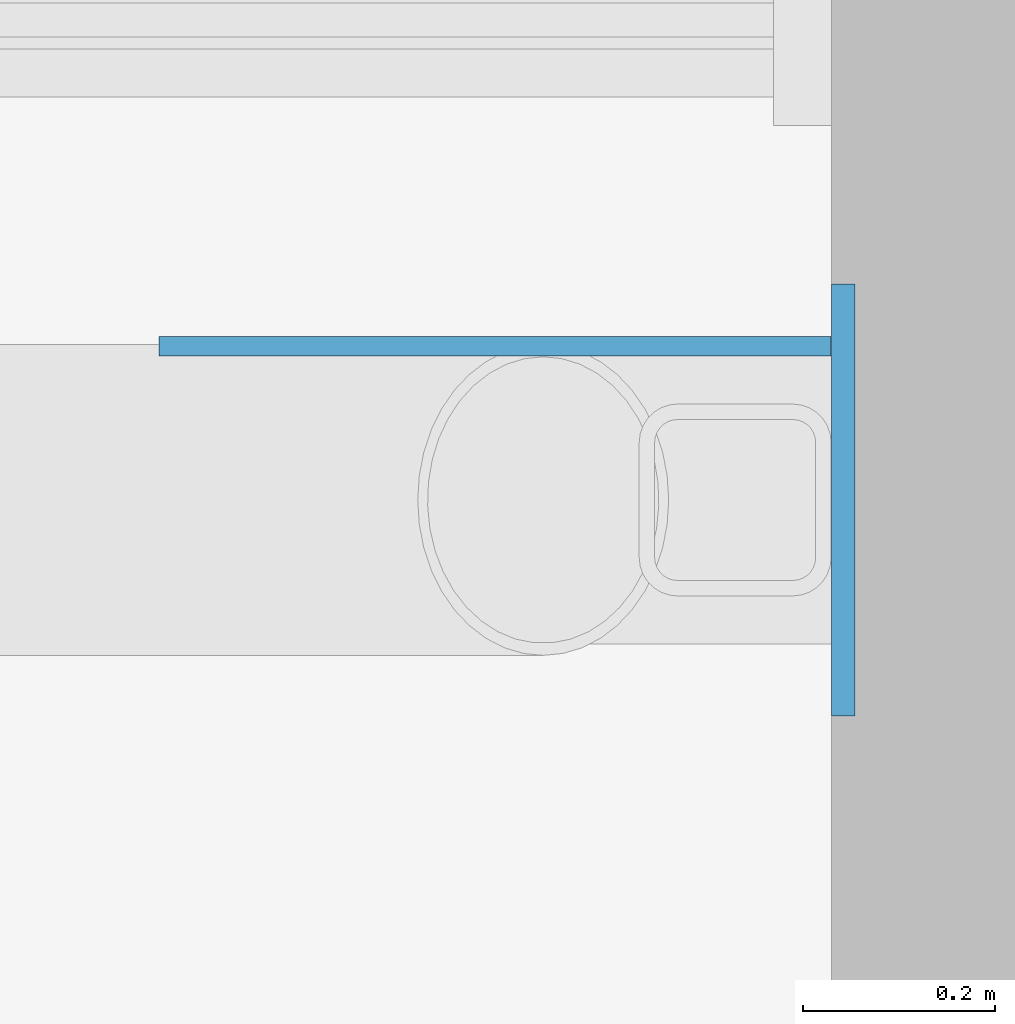
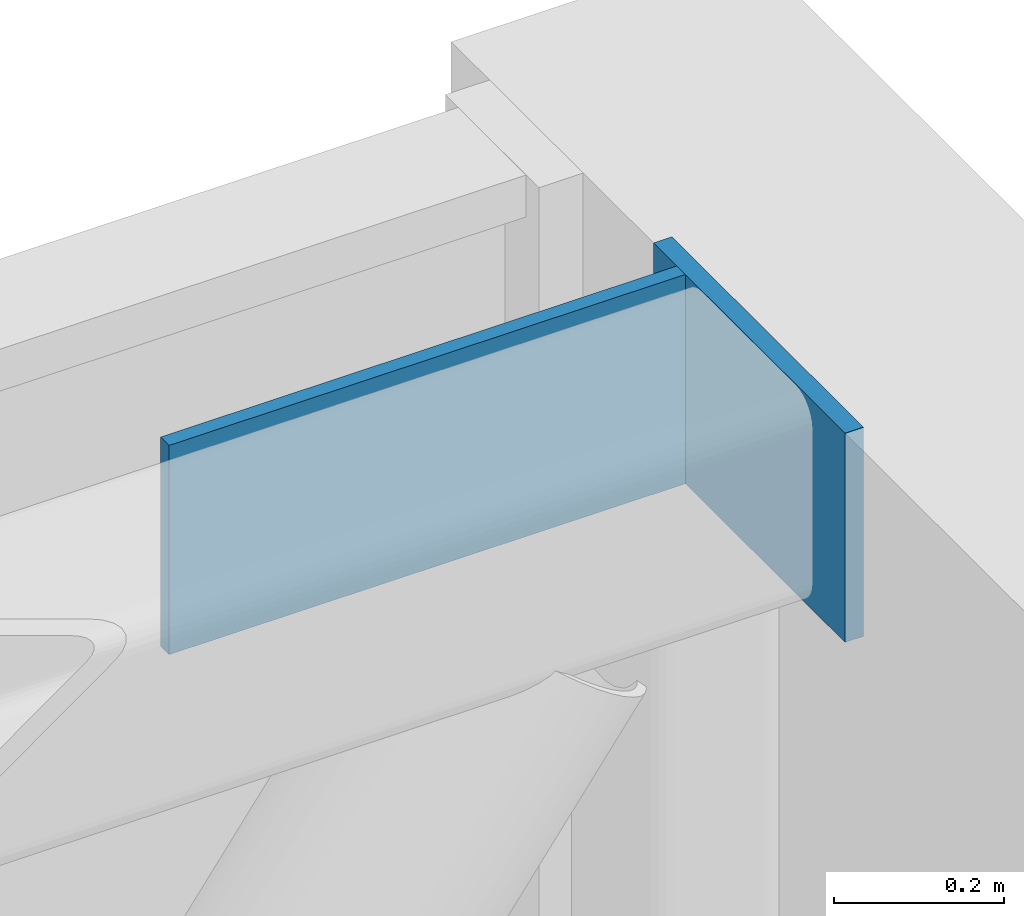
# One storey, part 9 of 17: 2 plates.
"""IFC4 building model written with IfcOpenShell, lengths in metres."""

import ifcopenshell
import ifcopenshell.guid

model = None  # the IFC model being written
_history = None  # IfcOwnerHistory: only IFC2X3 demands one
_inside = {}  # id of a spatial element -> (the spatial element, [elements in it])
_under = {}  # id of a project, library or spatial element -> (it, [spatial elements below it])
_declared = {}  # id of a project -> (the project, [libraries it declares])
_typed = {}  # id of a type object -> (the type object, [elements of that type])
_made_of = {}  # id of a material, layer set ... -> (it, [elements and type objects made of it])


def new_model(schema):
    """Start an empty IFC model of exactly this schema.

    Asked for "IFC4X3", IfcOpenShell would pick the latest addendum, in which some entities
    have other attributes; the version numbers below select the first issue.
    IFC2X3 requires an IfcOwnerHistory on every rooted entity: one is made here for all.
    """
    global model, _history
    if schema == "IFC4X3":
        model = ifcopenshell.file(schema_version=(4, 3, 0, 0))
    else:
        model = ifcopenshell.file(schema=schema)
    _inside.clear()
    _under.clear()
    _declared.clear()
    _typed.clear()
    _made_of.clear()
    _history = None
    if model.schema == "IFC2X3":
        org = make("IfcOrganization", Name="unknown")
        user = make(
            "IfcPersonAndOrganization",
            ThePerson=make("IfcPerson", FamilyName="unknown"),
            TheOrganization=org,
        )
        app = make(
            "IfcApplication",
            ApplicationDeveloper=org,
            Version="unknown",
            ApplicationFullName="unknown",
            ApplicationIdentifier="unknown",
        )
        _history = make(
            "IfcOwnerHistory",
            OwningUser=user,
            OwningApplication=app,
            ChangeAction="ADDED",
            CreationDate=0,
        )
    return model


def make(cls, **values):
    """One entity of the class cls with the attributes given. An attribute that is None is left unset."""
    return model.create_entity(
        cls, **{name: value for name, value in values.items() if value is not None}
    )


def rooted(cls, **values):
    """An entity with a GlobalId (a new one), such as an element, a storey or a relation."""
    return make(cls, GlobalId=ifcopenshell.guid.new(), OwnerHistory=_history, **values)


def si_unit(unit_type, name, prefix=None):
    """IfcSIUnit, for example si_unit("LENGTHUNIT", "METRE", prefix="MILLI")."""
    return make("IfcSIUnit", UnitType=unit_type, Prefix=prefix, Name=name)


def assignment(units):
    """IfcUnitAssignment: the units of a project."""
    return None if units is None else make("IfcUnitAssignment", Units=units)


def point(xyz):
    """IfcCartesianPoint."""
    return None if xyz is None else make("IfcCartesianPoint", Coordinates=xyz)


def direction(xyz):
    """IfcDirection."""
    return None if xyz is None else make("IfcDirection", DirectionRatios=xyz)


def frame(location, z_axis=None, x_axis=None):
    """IfcAxis2Placement3D, a coordinate frame: its origin and axes. An axis left out is left unset."""
    return make(
        "IfcAxis2Placement3D",
        Location=point(location),
        Axis=direction(z_axis),
        RefDirection=direction(x_axis),
    )


def frame_2d(location, x_axis=None):
    """IfcAxis2Placement2D, a coordinate frame in the plane: its origin and x axis."""
    return make(
        "IfcAxis2Placement2D", Location=point(location), RefDirection=direction(x_axis)
    )


def origin():
    """The frame at (0, 0, 0) with its axes left unset."""
    return frame((0.0, 0.0, 0.0))


def origin_2d():
    """The frame at (0, 0) in the plane with its x axis left unset."""
    return frame_2d((0.0, 0.0))


def place(relative_to, where):
    """IfcLocalPlacement: puts the frame where relative to a parent placement (None: the world)."""
    return make(
        "IfcLocalPlacement", PlacementRelTo=relative_to, RelativePlacement=where
    )


def context(
    kind, dimensions, precision=None, world=None, true_north=None, identifier=None
):
    """IfcGeometricRepresentationContext, for example the 3D "Model" context."""
    return make(
        "IfcGeometricRepresentationContext",
        ContextIdentifier=identifier,
        ContextType=kind,
        CoordinateSpaceDimension=dimensions,
        Precision=precision,
        WorldCoordinateSystem=world,
        TrueNorth=true_north,
    )


def subcontext(parent, identifier, kind, view, scale=None):
    """IfcGeometricRepresentationSubContext, for example "Body" below "Model"."""
    return make(
        "IfcGeometricRepresentationSubContext",
        ContextIdentifier=identifier,
        ContextType=kind,
        ParentContext=parent,
        TargetScale=scale,
        TargetView=view,
    )


def project(units=None, contexts=None):
    """IfcProject with its units and contexts."""
    return rooted(
        "IfcProject",
        Name="project",
        RepresentationContexts=contexts,
        UnitsInContext=assignment(units),
    )


def spatial(cls, under=None, at=None, **own):
    """A site, building, storey or space (cls), placed at a placement, below another one or the project."""
    s = rooted(cls, ObjectPlacement=at, **own)
    if under is not None:
        _under.setdefault(under.id(), (under, []))[1].append(s)
    return s


def profile(cls, at=None, kind="AREA", **sizes):
    """A parametric profile (cls). Its sizes go by their IFC names, for example OverallWidth=200.0."""
    return make(cls, ProfileType=kind, Position=at, **sizes)


def rectangle(**sizes):
    """IfcRectangleProfileDef."""
    return profile("IfcRectangleProfileDef", **sizes)


def extrude(swept, where, along, depth):
    """IfcExtrudedAreaSolid: the profile swept, set in the frame where, extruded along a direction by depth."""
    return make(
        "IfcExtrudedAreaSolid",
        SweptArea=swept,
        Position=where,
        ExtrudedDirection=direction(along),
        Depth=depth,
    )


def shape(context_of_items, identifier, shape_type, items):
    """IfcShapeRepresentation: the items that make up one representation, for example the "Body"."""
    return make(
        "IfcShapeRepresentation",
        ContextOfItems=context_of_items,
        RepresentationIdentifier=identifier,
        RepresentationType=shape_type,
        Items=items,
    )


def source(mapping_origin, context_of_items, identifier, shape_type, items):
    """IfcRepresentationMap: a shape defined once, which mapped items show again and again."""
    return make(
        "IfcRepresentationMap",
        MappingOrigin=mapping_origin,
        MappedRepresentation=shape(context_of_items, identifier, shape_type, items),
    )


def transform(
    local_origin,
    x_axis=None,
    y_axis=None,
    z_axis=None,
    scale=None,
    scale2=None,
    scale3=None,
    uniform=True,
):
    """IfcCartesianTransformationOperator3D, or its non-uniform kind. x_axis, y_axis, z_axis: its Axis1, 2, 3."""
    if uniform:
        return make(
            "IfcCartesianTransformationOperator3D",
            Axis1=direction(x_axis),
            Axis2=direction(y_axis),
            LocalOrigin=point(local_origin),
            Scale=scale,
            Axis3=direction(z_axis),
        )
    return make(
        "IfcCartesianTransformationOperator3DnonUniform",
        Axis1=direction(x_axis),
        Axis2=direction(y_axis),
        LocalOrigin=point(local_origin),
        Scale=scale,
        Axis3=direction(z_axis),
        Scale2=scale2,
        Scale3=scale3,
    )


def mapped(mapping_source, mapping_target):
    """IfcMappedItem: shows the shape of a source again, moved by a transform."""
    return make(
        "IfcMappedItem", MappingSource=mapping_source, MappingTarget=mapping_target
    )


def material(Name=None, Category=None):
    """IfcMaterial."""
    return make("IfcMaterial", Name=Name, Category=Category)


def layer(
    of_material, thickness, ventilated=None, Name=None, Category=None, Priority=None
):
    """IfcMaterialLayer: one layer of a wall or slab, of a material (None: an air gap)."""
    return make(
        "IfcMaterialLayer",
        Material=of_material,
        LayerThickness=thickness,
        IsVentilated=ventilated,
        Name=Name,
        Category=Category,
        Priority=Priority,
    )


def layer_set(layers, Name=None):
    """IfcMaterialLayerSet."""
    return make("IfcMaterialLayerSet", MaterialLayers=layers, LayerSetName=Name)


def made_of(thing, what):
    """Note that an element or type object is made of a material, layer set ...; save() writes the relation."""
    if what is not None:
        _made_of.setdefault(what.id(), (what, []))[1].append(thing)
    return thing


def type_object(cls, material=None, **own):
    """A type object (cls), such as IfcWallType, which elements share."""
    return made_of(rooted(cls, **own), material)


def element(
    cls,
    number,
    at=None,
    inside=None,
    cuts=None,
    type_object=None,
    material=None,
    context=None,
    identifier="Body",
    shape_type=None,
    held_by="IfcProductDefinitionShape",
    body=None,
    shapes=None,
    **own,
):
    """One element of the class cls, such as IfcWall. Its Tag is "e" and its number.

    at: its placement. inside: the storey or other place that contains it. cuts: it is an
    opening in that element (IfcRelVoidsElement). A single representation is given by context,
    identifier, shape_type and body (its items); several are given by shapes. held_by: the class
    of the entity that holds the representations. save() writes the other relations.
    """
    e = rooted(cls, Tag="e%d" % number, ObjectPlacement=at, **own)
    if body is not None:
        shapes = [shape(context, identifier, shape_type, body)]
    if shapes is not None:
        e.Representation = make(held_by, Representations=shapes)
    if inside is not None:
        _inside.setdefault(inside.id(), (inside, []))[1].append(e)
    if cuts is not None:
        rooted(
            "IfcRelVoidsElement", RelatingBuildingElement=cuts, RelatedOpeningElement=e
        )
    if type_object is not None:
        _typed.setdefault(type_object.id(), (type_object, []))[1].append(e)
    return made_of(e, material)


def aggregate(whole, parts):
    """IfcRelAggregates: a whole, such as a stair, and the parts it consists of."""
    return rooted("IfcRelAggregates", RelatingObject=whole, RelatedObjects=parts)


def save(model, path):
    """Write the relations noted so far, then the file.

    IfcRelAggregates (storeys below a building ...), IfcRelContainedInSpatialStructure (elements
    in a storey), IfcRelDefinesByType, IfcRelAssociatesMaterial and IfcRelDeclares: one each for
    every whole, place, type object, material and project.
    """
    for whole, parts in _under.values():
        aggregate(whole, parts)
    for where, things in _inside.values():
        rooted(
            "IfcRelContainedInSpatialStructure",
            RelatedElements=things,
            RelatingStructure=where,
        )
    for kind, things in _typed.values():
        rooted("IfcRelDefinesByType", RelatedObjects=things, RelatingType=kind)
    for what, things in _made_of.values():
        rooted("IfcRelAssociatesMaterial", RelatedObjects=things, RelatingMaterial=what)
    for by, libraries in _declared.values():
        rooted("IfcRelDeclares", RelatingContext=by, RelatedDefinitions=libraries)
    model.write(path)


model = new_model("IFC4")

# Units and contexts
model_context = context("Model", 3, precision=1e-05, world=origin(), true_north=direction((0.0, 1.0)))
body_context = subcontext(model_context, "Body", "Model", "MODEL_VIEW")
ifc_project = project(units=[si_unit("LENGTHUNIT", "METRE"), si_unit("AREAUNIT", "SQUARE_METRE"), si_unit("VOLUMEUNIT", "CUBIC_METRE"), si_unit("PLANEANGLEUNIT", "RADIAN"), si_unit("MASSUNIT", "GRAM", prefix="KILO")], contexts=[model_context])

# Site, building, storey
site_placement = place(None, origin())
site = spatial("IfcSite", under=ifc_project, at=site_placement, CompositionType="ELEMENT")
building_placement = place(site_placement, origin())
building = spatial("IfcBuilding", under=site, at=building_placement, Name="Poui Terraces", CompositionType="ELEMENT")
storey_placement = place(building_placement, frame((0.0, 0.0, 261.0)))
storey = spatial("IfcBuildingStorey", under=building, at=storey_placement, Name="L73", CompositionType="ELEMENT", Elevation=261.0)

# Plates
ifc_material = material(Name="Steel Grade 350 MPa", Category="steel")
ifc_layer_1 = layer(ifc_material, 0.02490234375)
ifc_layer_set_1 = layer_set([ifc_layer_1], Name="Steel Grade 350 MPa")
plate_type_1 = type_object("IfcPlateType", Name="CAST-IN PLATE 450x25 UPPER", PredefinedType="SHEET", material=ifc_layer_set_1)
shared_shape_1 = source(origin(), body_context, "Body", "SweptSolid", [
    extrude(rectangle(XDim=0.02490234375, YDim=0.449951171875, at=origin_2d()), origin(), (0.0, 0.0, 1.0), 0.300048828125),
])
plate_1_placement = place(storey_placement, frame((71.8125, 50.89990234375, 5.39990234375), z_axis=(0.0, 0.0, 1.0), x_axis=(1.0, 0.0, 0.0)))
element("IfcPlate", 1, at=plate_1_placement, inside=storey, type_object=plate_type_1, Name="CAST-IN PLATE", PredefinedType="SHEET", context=body_context, shape_type="MappedRepresentation", body=[
    mapped(shared_shape_1, transform((0.0, 0.0, 0.0))),
])
ifc_layer_2 = layer(ifc_material, 0.02001953125)
ifc_layer_set_2 = layer_set([ifc_layer_2], Name="Steel Grade 350 MPa")
plate_type_2 = type_object("IfcPlateType", Name="TRUSS NODE PLATE 700x20 TOP CHORD", PredefinedType="SHEET", material=ifc_layer_set_2)
shared_shape_2 = source(origin(), body_context, "Body", "SweptSolid", [
    extrude(rectangle(XDim=0.699951171875, YDim=0.02001953125, at=origin_2d()), origin(), (0.0, 0.0, 1.0), 0.300048828125),
])
plate_2_placement = place(storey_placement, frame((71.449951171875, 51.06005859375, 5.39990234375), z_axis=(0.0, 0.0, 1.0), x_axis=(1.0, 0.0, 0.0)))
element("IfcPlate", 2, at=plate_2_placement, inside=storey, type_object=plate_type_2, Name="TRUSS NODE PLATE", PredefinedType="SHEET", context=body_context, shape_type="MappedRepresentation", body=[
    mapped(shared_shape_2, transform((0.0, 0.0, 0.0))),
])

save(model, "model.ifc")
